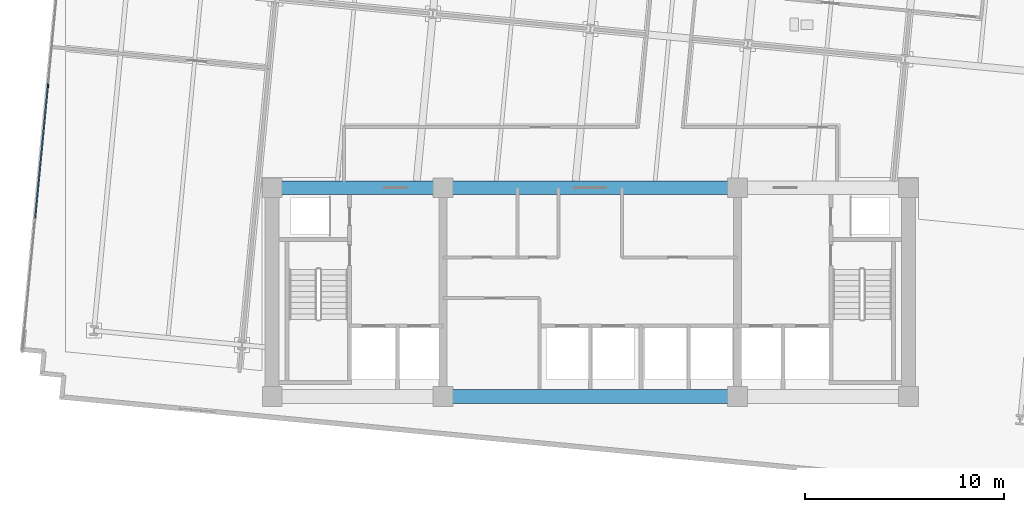
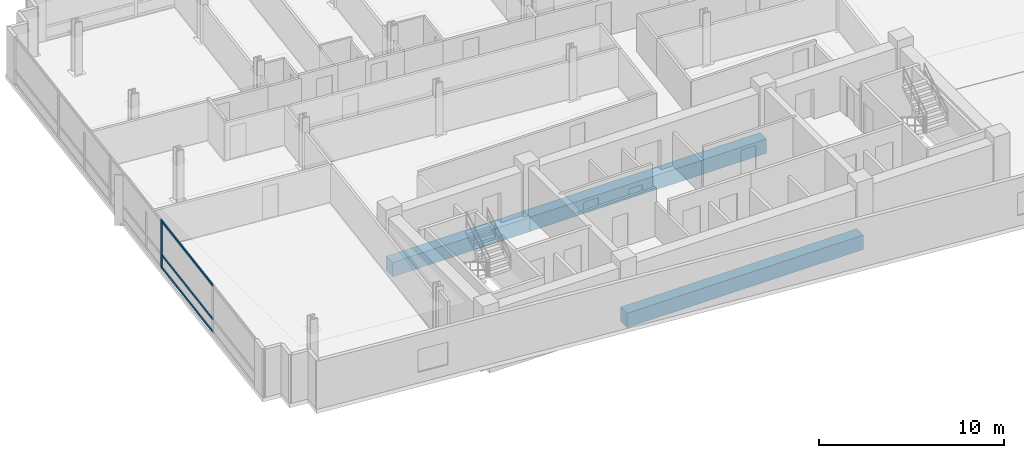
# One storey, part 3 of 17: 4 members, 3 beams, 1 element without a shape of its own.
"""IFC4 building model written with IfcOpenShell, lengths in metres."""

import ifcopenshell
import ifcopenshell.guid

model = None  # the IFC model being written
_history = None  # IfcOwnerHistory: only IFC2X3 demands one
_inside = {}  # id of a spatial element -> (the spatial element, [elements in it])
_under = {}  # id of a project, library or spatial element -> (it, [spatial elements below it])
_declared = {}  # id of a project -> (the project, [libraries it declares])
_typed = {}  # id of a type object -> (the type object, [elements of that type])
_made_of = {}  # id of a material, layer set ... -> (it, [elements and type objects made of it])


def new_model(schema):
    """Start an empty IFC model of exactly this schema.

    Asked for "IFC4X3", IfcOpenShell would pick the latest addendum, in which some entities
    have other attributes; the version numbers below select the first issue.
    IFC2X3 requires an IfcOwnerHistory on every rooted entity: one is made here for all.
    """
    global model, _history
    if schema == "IFC4X3":
        model = ifcopenshell.file(schema_version=(4, 3, 0, 0))
    else:
        model = ifcopenshell.file(schema=schema)
    _inside.clear()
    _under.clear()
    _declared.clear()
    _typed.clear()
    _made_of.clear()
    _history = None
    if model.schema == "IFC2X3":
        org = make("IfcOrganization", Name="unknown")
        user = make(
            "IfcPersonAndOrganization",
            ThePerson=make("IfcPerson", FamilyName="unknown"),
            TheOrganization=org,
        )
        app = make(
            "IfcApplication",
            ApplicationDeveloper=org,
            Version="unknown",
            ApplicationFullName="unknown",
            ApplicationIdentifier="unknown",
        )
        _history = make(
            "IfcOwnerHistory",
            OwningUser=user,
            OwningApplication=app,
            ChangeAction="ADDED",
            CreationDate=0,
        )
    return model


def make(cls, **values):
    """One entity of the class cls with the attributes given. An attribute that is None is left unset."""
    return model.create_entity(
        cls, **{name: value for name, value in values.items() if value is not None}
    )


def rooted(cls, **values):
    """An entity with a GlobalId (a new one), such as an element, a storey or a relation."""
    return make(cls, GlobalId=ifcopenshell.guid.new(), OwnerHistory=_history, **values)


def si_unit(unit_type, name, prefix=None):
    """IfcSIUnit, for example si_unit("LENGTHUNIT", "METRE", prefix="MILLI")."""
    return make("IfcSIUnit", UnitType=unit_type, Prefix=prefix, Name=name)


def assignment(units):
    """IfcUnitAssignment: the units of a project."""
    return None if units is None else make("IfcUnitAssignment", Units=units)


def point(xyz):
    """IfcCartesianPoint."""
    return None if xyz is None else make("IfcCartesianPoint", Coordinates=xyz)


def direction(xyz):
    """IfcDirection."""
    return None if xyz is None else make("IfcDirection", DirectionRatios=xyz)


def frame(location, z_axis=None, x_axis=None):
    """IfcAxis2Placement3D, a coordinate frame: its origin and axes. An axis left out is left unset."""
    return make(
        "IfcAxis2Placement3D",
        Location=point(location),
        Axis=direction(z_axis),
        RefDirection=direction(x_axis),
    )


def frame_2d(location, x_axis=None):
    """IfcAxis2Placement2D, a coordinate frame in the plane: its origin and x axis."""
    return make(
        "IfcAxis2Placement2D", Location=point(location), RefDirection=direction(x_axis)
    )


def origin():
    """The frame at (0, 0, 0) with its axes left unset."""
    return frame((0.0, 0.0, 0.0))


def origin_2d():
    """The frame at (0, 0) in the plane with its x axis left unset."""
    return frame_2d((0.0, 0.0))


def place(relative_to, where):
    """IfcLocalPlacement: puts the frame where relative to a parent placement (None: the world)."""
    return make(
        "IfcLocalPlacement", PlacementRelTo=relative_to, RelativePlacement=where
    )


def context(
    kind, dimensions, precision=None, world=None, true_north=None, identifier=None
):
    """IfcGeometricRepresentationContext, for example the 3D "Model" context."""
    return make(
        "IfcGeometricRepresentationContext",
        ContextIdentifier=identifier,
        ContextType=kind,
        CoordinateSpaceDimension=dimensions,
        Precision=precision,
        WorldCoordinateSystem=world,
        TrueNorth=true_north,
    )


def subcontext(parent, identifier, kind, view, scale=None):
    """IfcGeometricRepresentationSubContext, for example "Body" below "Model"."""
    return make(
        "IfcGeometricRepresentationSubContext",
        ContextIdentifier=identifier,
        ContextType=kind,
        ParentContext=parent,
        TargetScale=scale,
        TargetView=view,
    )


def project(units=None, contexts=None):
    """IfcProject with its units and contexts."""
    return rooted(
        "IfcProject",
        Name="project",
        RepresentationContexts=contexts,
        UnitsInContext=assignment(units),
    )


def spatial(cls, under=None, at=None, **own):
    """A site, building, storey or space (cls), placed at a placement, below another one or the project."""
    s = rooted(cls, ObjectPlacement=at, **own)
    if under is not None:
        _under.setdefault(under.id(), (under, []))[1].append(s)
    return s


def profile(cls, at=None, kind="AREA", **sizes):
    """A parametric profile (cls). Its sizes go by their IFC names, for example OverallWidth=200.0."""
    return make(cls, ProfileType=kind, Position=at, **sizes)


def rectangle(**sizes):
    """IfcRectangleProfileDef."""
    return profile("IfcRectangleProfileDef", **sizes)


def extrude(swept, where, along, depth):
    """IfcExtrudedAreaSolid: the profile swept, set in the frame where, extruded along a direction by depth."""
    return make(
        "IfcExtrudedAreaSolid",
        SweptArea=swept,
        Position=where,
        ExtrudedDirection=direction(along),
        Depth=depth,
    )


def shape(context_of_items, identifier, shape_type, items):
    """IfcShapeRepresentation: the items that make up one representation, for example the "Body"."""
    return make(
        "IfcShapeRepresentation",
        ContextOfItems=context_of_items,
        RepresentationIdentifier=identifier,
        RepresentationType=shape_type,
        Items=items,
    )


def material(Name=None, Category=None):
    """IfcMaterial."""
    return make("IfcMaterial", Name=Name, Category=Category)


def material_profile(
    of_material, cross_section, Name=None, Category=None, Priority=None
):
    """IfcMaterialProfile: a cross section and its material."""
    return make(
        "IfcMaterialProfile",
        Name=Name,
        Material=of_material,
        Profile=cross_section,
        Priority=Priority,
        Category=Category,
    )


def profile_set(profiles, Name=None, composite=None):
    """IfcMaterialProfileSet."""
    return make(
        "IfcMaterialProfileSet",
        Name=Name,
        MaterialProfiles=profiles,
        CompositeProfile=composite,
    )


def made_of(thing, what):
    """Note that an element or type object is made of a material, layer set ...; save() writes the relation."""
    if what is not None:
        _made_of.setdefault(what.id(), (what, []))[1].append(thing)
    return thing


def type_object(cls, material=None, **own):
    """A type object (cls), such as IfcWallType, which elements share."""
    return made_of(rooted(cls, **own), material)


def element(
    cls,
    number,
    at=None,
    inside=None,
    cuts=None,
    type_object=None,
    material=None,
    context=None,
    identifier="Body",
    shape_type=None,
    held_by="IfcProductDefinitionShape",
    body=None,
    shapes=None,
    **own,
):
    """One element of the class cls, such as IfcWall. Its Tag is "e" and its number.

    at: its placement. inside: the storey or other place that contains it. cuts: it is an
    opening in that element (IfcRelVoidsElement). A single representation is given by context,
    identifier, shape_type and body (its items); several are given by shapes. held_by: the class
    of the entity that holds the representations. save() writes the other relations.
    """
    e = rooted(cls, Tag="e%d" % number, ObjectPlacement=at, **own)
    if body is not None:
        shapes = [shape(context, identifier, shape_type, body)]
    if shapes is not None:
        e.Representation = make(held_by, Representations=shapes)
    if inside is not None:
        _inside.setdefault(inside.id(), (inside, []))[1].append(e)
    if cuts is not None:
        rooted(
            "IfcRelVoidsElement", RelatingBuildingElement=cuts, RelatedOpeningElement=e
        )
    if type_object is not None:
        _typed.setdefault(type_object.id(), (type_object, []))[1].append(e)
    return made_of(e, material)


def aggregate(whole, parts):
    """IfcRelAggregates: a whole, such as a stair, and the parts it consists of."""
    return rooted("IfcRelAggregates", RelatingObject=whole, RelatedObjects=parts)


def save(model, path):
    """Write the relations noted so far, then the file.

    IfcRelAggregates (storeys below a building ...), IfcRelContainedInSpatialStructure (elements
    in a storey), IfcRelDefinesByType, IfcRelAssociatesMaterial and IfcRelDeclares: one each for
    every whole, place, type object, material and project.
    """
    for whole, parts in _under.values():
        aggregate(whole, parts)
    for where, things in _inside.values():
        rooted(
            "IfcRelContainedInSpatialStructure",
            RelatedElements=things,
            RelatingStructure=where,
        )
    for kind, things in _typed.values():
        rooted("IfcRelDefinesByType", RelatedObjects=things, RelatingType=kind)
    for what, things in _made_of.values():
        rooted("IfcRelAssociatesMaterial", RelatedObjects=things, RelatingMaterial=what)
    for by, libraries in _declared.values():
        rooted("IfcRelDeclares", RelatingContext=by, RelatedDefinitions=libraries)
    model.write(path)


model = new_model("IFC4")

# Units and contexts
model_context = context("Model", 3, precision=1e-05, world=origin(), true_north=direction((0.0, 1.0)))
body_context = subcontext(model_context, "Body", "Model", "MODEL_VIEW")
ifc_project = project(units=[si_unit("LENGTHUNIT", "METRE"), si_unit("AREAUNIT", "SQUARE_METRE"), si_unit("VOLUMEUNIT", "CUBIC_METRE"), si_unit("PLANEANGLEUNIT", "RADIAN"), si_unit("MASSUNIT", "GRAM", prefix="KILO")], contexts=[model_context])

# Site, building, storey
site_placement = place(None, origin())
site = spatial("IfcSite", under=ifc_project, at=site_placement, CompositionType="ELEMENT")
building_placement = place(site_placement, origin())
building = spatial("IfcBuilding", under=site, at=building_placement, Name="Solmavex Isthmus Hotel", CompositionType="ELEMENT")
storey_placement = place(building_placement, frame((0.0, 0.0, 153.14990234375)))
storey = spatial("IfcBuildingStorey", under=building, at=storey_placement, Name="L41", CompositionType="ELEMENT", Elevation=153.14990234375)

# Beams
ifc_material_1 = material(Name="Concrete C60/75", Category="concrete")
ifc_material_profile_1 = material_profile(ifc_material_1, rectangle(XDim=0.699951171875, YDim=0.949951171875, at=origin_2d()), Name="RC700X950")
ifc_profile_set_1 = profile_set([ifc_material_profile_1], Name="Concrete C60/75")
beam_type = type_object("IfcBeamType", Name="BM-CB-700X950", PredefinedType="BEAM", material=ifc_profile_set_1)
beam_1_placement = place(storey_placement, frame((-7.39990234375, -13.0, -0.73486328125), z_axis=(1.0, 0.0, 0.0), x_axis=(0.0, 1.0, 0.0)))
element("IfcBeam", 1, at=beam_1_placement, inside=storey, type_object=beam_type, Name="Core Coupling Beam L41-CB2", PredefinedType="BEAM", context=body_context, shape_type="SweptSolid", body=[
    extrude(rectangle(XDim=0.699951171875, YDim=0.949951171875, at=origin_2d()), origin(), (0.0, 0.0, 1.0), 14.7998046875),
])
beam_2_placement = place(storey_placement, frame((-16.0, -2.5, -0.73486328125), z_axis=(1.0, 0.0, 0.0), x_axis=(0.0, 1.0, 0.0)))
element("IfcBeam", 2, at=beam_2_placement, inside=storey, type_object=beam_type, Name="Core Coupling Beam L41-CB4", PredefinedType="BEAM", context=body_context, shape_type="SweptSolid", body=[
    extrude(rectangle(XDim=0.699951171875, YDim=0.949951171875, at=origin_2d()), origin(), (0.0, 0.0, 1.0), 8.60009765625),
])
beam_3_placement = place(storey_placement, frame((-7.39990234375, -2.5, -0.73486328125), z_axis=(1.0, 0.0, 0.0), x_axis=(0.0, 1.0, 0.0)))
element("IfcBeam", 3, at=beam_3_placement, inside=storey, type_object=beam_type, Name="Core Coupling Beam L41-CB5", PredefinedType="BEAM", context=body_context, shape_type="SweptSolid", body=[
    extrude(rectangle(XDim=0.699951171875, YDim=0.949951171875, at=origin_2d()), origin(), (0.0, 0.0, 1.0), 14.7998046875),
])

# Curtain wall, members
ifc_material_2 = material(Name="Aluminium alloy 6063-T6", Category="aluminium")
curtain_wall_type = type_object("IfcCurtainWallType", Name="CW-SYS-03", PredefinedType="NOTDEFINED", material=ifc_material_2)
curtain_wall_placement = place(storey_placement, origin())
curtain_wall = element("IfcCurtainWall", 4, at=curtain_wall_placement, inside=storey, type_object=curtain_wall_type, Name="Stick Curtain Wall CWL-L41-W1", PredefinedType="NOTDEFINED")
ifc_material_profile_2 = material_profile(ifc_material_2, rectangle(XDim=0.070068359375, YDim=0.179931640625, at=origin_2d()), Name="CWM-70X180")
ifc_profile_set_2 = profile_set([ifc_material_profile_2], Name="Aluminium alloy 6063-T6")
member_type_1 = type_object("IfcMemberType", Name="CW-SYS-03-MUL", PredefinedType="MULLION", material=ifc_profile_set_2)
member_1_placement = place(storey_placement, frame((-27.2783203125, 2.6318359375, 0.0), z_axis=(0.0, 0.0, 1.0), x_axis=(-0.995396190038, 0.09584583902, 0.0)))
member_1 = element("IfcMember", 5, at=member_1_placement, type_object=member_type_1, Name="CW-03 mullion 3", PredefinedType="MULLION", context=body_context, shape_type="SweptSolid", body=[
    extrude(rectangle(XDim=0.070068359375, YDim=0.179931640625, at=origin_2d()), origin(), (0.0, 0.0, 1.0), 3.190185546875),
])
ifc_material_profile_3 = material_profile(ifc_material_2, rectangle(XDim=0.070068359375, YDim=0.139892578125, at=origin_2d()), Name="CWT-70X140")
ifc_profile_set_3 = profile_set([ifc_material_profile_3], Name="Aluminium alloy 6063-T6")
member_type_2 = type_object("IfcMemberType", Name="CW-SYS-03-TRN", PredefinedType="USERDEFINED", material=ifc_profile_set_3)
member_2_placement = place(storey_placement, frame((-27.9189453125, -4.0224609375, 0.070068359375), z_axis=(0.095820836451, 0.995398597197, 0.0), x_axis=(-0.995398597197, 0.095820836451, 0.0)))
member_2 = element("IfcMember", 6, at=member_2_placement, type_object=member_type_2, Name="CW-03 transom 2.1", ObjectType="TRANSOM", PredefinedType="USERDEFINED", context=body_context, shape_type="SweptSolid", body=[
    extrude(rectangle(XDim=0.070068359375, YDim=0.139892578125, at=origin_2d()), origin(), (0.0, 0.0, 1.0), 6.64990234375),
])
member_3_placement = place(storey_placement, frame((-27.9189453125, -4.0224609375, 0.900146484375), z_axis=(0.095820836451, 0.995398597197, 0.0), x_axis=(-0.995398597197, 0.095820836451, 0.0)))
member_3 = element("IfcMember", 7, at=member_3_placement, type_object=member_type_2, Name="CW-03 transom 2.2", ObjectType="TRANSOM", PredefinedType="USERDEFINED", context=body_context, shape_type="SweptSolid", body=[
    extrude(rectangle(XDim=0.070068359375, YDim=0.139892578125, at=origin_2d()), origin(), (0.0, 0.0, 1.0), 6.64990234375),
])
member_4_placement = place(storey_placement, frame((-27.9189453125, -4.0224609375, 3.1201171875), z_axis=(0.095820836451, 0.995398597197, 0.0), x_axis=(-0.995398597197, 0.095820836451, 0.0)))
member_4 = element("IfcMember", 8, at=member_4_placement, type_object=member_type_2, Name="CW-03 transom 2.3", ObjectType="TRANSOM", PredefinedType="USERDEFINED", context=body_context, shape_type="SweptSolid", body=[
    extrude(rectangle(XDim=0.070068359375, YDim=0.139892578125, at=origin_2d()), origin(), (0.0, 0.0, 1.0), 6.64990234375),
])
aggregate(curtain_wall, [member_1, member_2, member_3, member_4])

save(model, "model.ifc")
